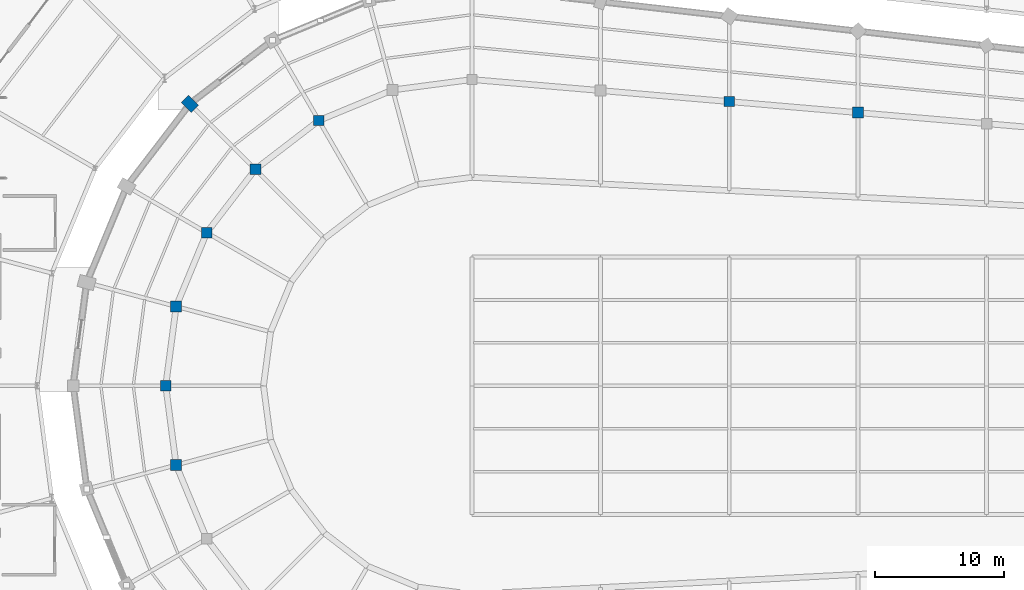
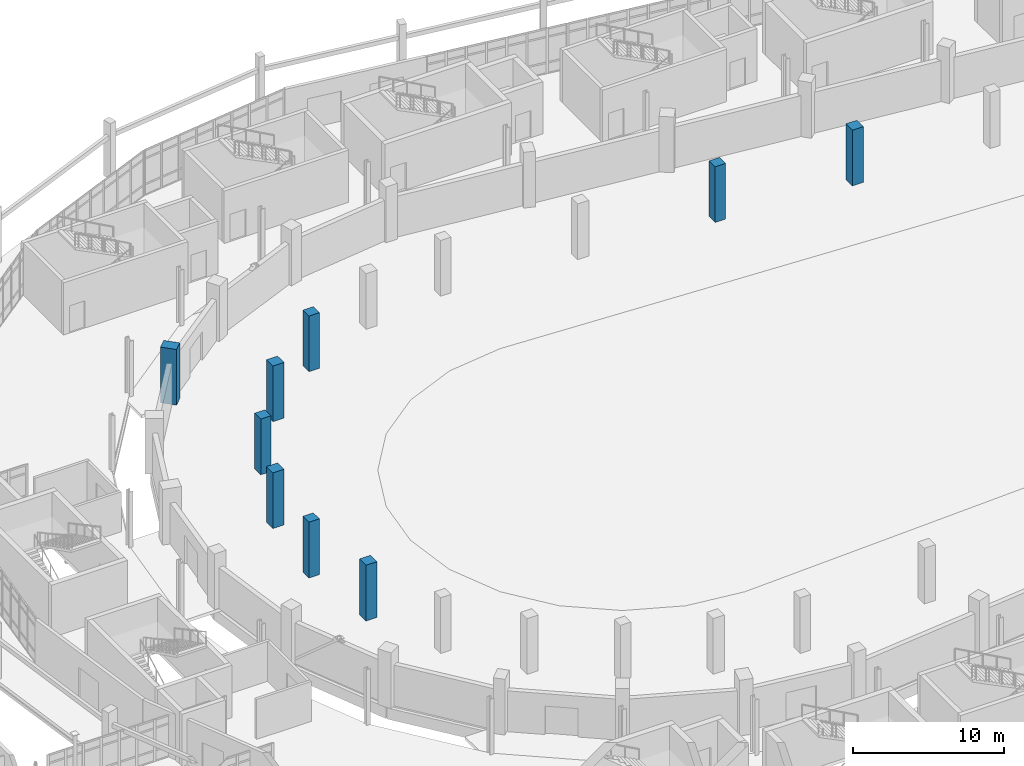
# One storey, part 15 of 122: 9 columns.
"""IFC4 building model written with IfcOpenShell, lengths in metres."""

from ifc_helpers import new_model, si_unit, direction, frame, origin, origin_2d, place, context, subcontext, project, spatial, rectangle, extrude, material, material_profile, profile_set, type_object, element, save


model = new_model("IFC4")

# Units and contexts
model_context = context("Model", 3, precision=1e-05, world=origin(), true_north=direction((0.0, 1.0)))
body_context = subcontext(model_context, "Body", "Model", "MODEL_VIEW")
ifc_project = project(units=[si_unit("LENGTHUNIT", "METRE"), si_unit("AREAUNIT", "SQUARE_METRE"), si_unit("VOLUMEUNIT", "CUBIC_METRE"), si_unit("PLANEANGLEUNIT", "RADIAN"), si_unit("MASSUNIT", "GRAM", prefix="KILO")], contexts=[model_context])

# Site, building, storey
site_placement = place(None, origin())
site = spatial("IfcSite", under=ifc_project, at=site_placement, CompositionType="ELEMENT")
building_placement = place(site_placement, origin())
building = spatial("IfcBuilding", under=site, at=building_placement, Name="Sohan Crest Arena", CompositionType="ELEMENT")
storey_placement = place(building_placement, origin())
storey = spatial("IfcBuildingStorey", under=building, at=storey_placement, Name="L00", CompositionType="ELEMENT", Elevation=0.0)

# Columns
ifc_material = material(Name="Concrete C40/50", Category="concrete")
ifc_material_profile_1 = material_profile(ifc_material, rectangle(XDim=0.800048828125, YDim=0.800048828125, at=origin_2d()), Name="RC 800x800")
ifc_profile_set_1 = profile_set([ifc_material_profile_1], Name="Concrete C40/50")
column_type_1 = type_object("IfcColumnType", Name="STR-COL-C05", PredefinedType="COLUMN", material=ifc_profile_set_1)
for number, where, z_axis, x_axis, name in (
    (1, (86.10009765625, 98.611083984375, 0.0), (0.0, 0.0, 1.0), (1.0, 0.0, 0.0), "Structural column COL-V1M-03-L00"),
    (2, (77.388916015625, 89.89990234375, 0.0), (0.0, 0.0, 1.0), (1.0, 0.0, 0.0), "Structural column COL-V1M-05-L00"),
    (3, (74.199951171875, 78.0, 0.0), (0.0, 0.0, 1.0), (1.0, 0.0, 0.0), "Structural column COL-V1M-07-L00"),
    (4, (118.0, 100.0859375, 0.0), (0.0, 0.0, 1.0), (1.0, 0.0, 0.0), "Structural column COL-V1M-33-L00"),
):
    element("IfcColumn", number, at=place(storey_placement, frame(where, z_axis=z_axis, x_axis=x_axis)), inside=storey, type_object=column_type_1, Name=name, PredefinedType="COLUMN", context=body_context, shape_type="SweptSolid", body=[
        extrude(rectangle(XDim=0.800048828125, YDim=0.800048828125, at=origin_2d()), origin(), (0.0, 0.0, 1.0), 4.5),
    ])
ifc_material_profile_2 = material_profile(ifc_material, rectangle(XDim=0.85009765625, YDim=0.85009765625, at=origin_2d()), Name="RC 850x850")
ifc_profile_set_2 = profile_set([ifc_material_profile_2], Name="Concrete C40/50")
column_type_2 = type_object("IfcColumnType", Name="STR-COL-C06", PredefinedType="COLUMN", material=ifc_profile_set_2)
for number, where, z_axis, x_axis, name in (
    (5, (81.1708984375, 94.8291015625, 0.0), (0.0, 0.0, 1.0), (1.0, 0.0, 0.0), "Structural column COL-V1M-04-L00"),
    (6, (75.010986328125, 84.159912109375, 0.0), (0.0, 0.0, 1.0), (1.0, 0.0, 0.0), "Structural column COL-V1M-06-L00"),
    (7, (75.010986328125, 71.840087890625, 0.0), (0.0, 0.0, 1.0), (1.0, 0.0, 0.0), "Structural column COL-V1M-08-L00"),
    (8, (128.0, 99.22900390625, 0.0), (0.0, 0.0, 1.0), (1.0, 0.0, 0.0), "Structural column COL-V1M-32-L00"),
):
    element("IfcColumn", number, at=place(storey_placement, frame(where, z_axis=z_axis, x_axis=x_axis)), inside=storey, type_object=column_type_2, Name=name, PredefinedType="COLUMN", context=body_context, shape_type="SweptSolid", body=[
        extrude(rectangle(XDim=0.85009765625, YDim=0.85009765625, at=origin_2d()), origin(), (0.0, 0.0, 1.0), 4.5),
    ])
ifc_material_profile_3 = material_profile(ifc_material, rectangle(XDim=1.10009765625, YDim=0.800048828125, at=origin_2d()), Name="RC 1100x800")
ifc_profile_set_3 = profile_set([ifc_material_profile_3], Name="Concrete C40/50")
column_type_3 = type_object("IfcColumnType", Name="STR-COL-C10", PredefinedType="COLUMN", material=ifc_profile_set_3)
column_placement = place(storey_placement, frame((76.080078125, 99.919921875, 0.0), z_axis=(0.0, 0.0, 1.0), x_axis=(-0.707106781187, 0.707106781187, 0.0)))
element("IfcColumn", 9, at=column_placement, inside=storey, type_object=column_type_3, Name="Structural column COL-V1R-04-L00", PredefinedType="COLUMN", context=body_context, shape_type="SweptSolid", body=[
    extrude(rectangle(XDim=1.10009765625, YDim=0.800048828125, at=origin_2d()), origin(), (0.0, 0.0, 1.0), 4.5),
])

save(model, "model.ifc")
